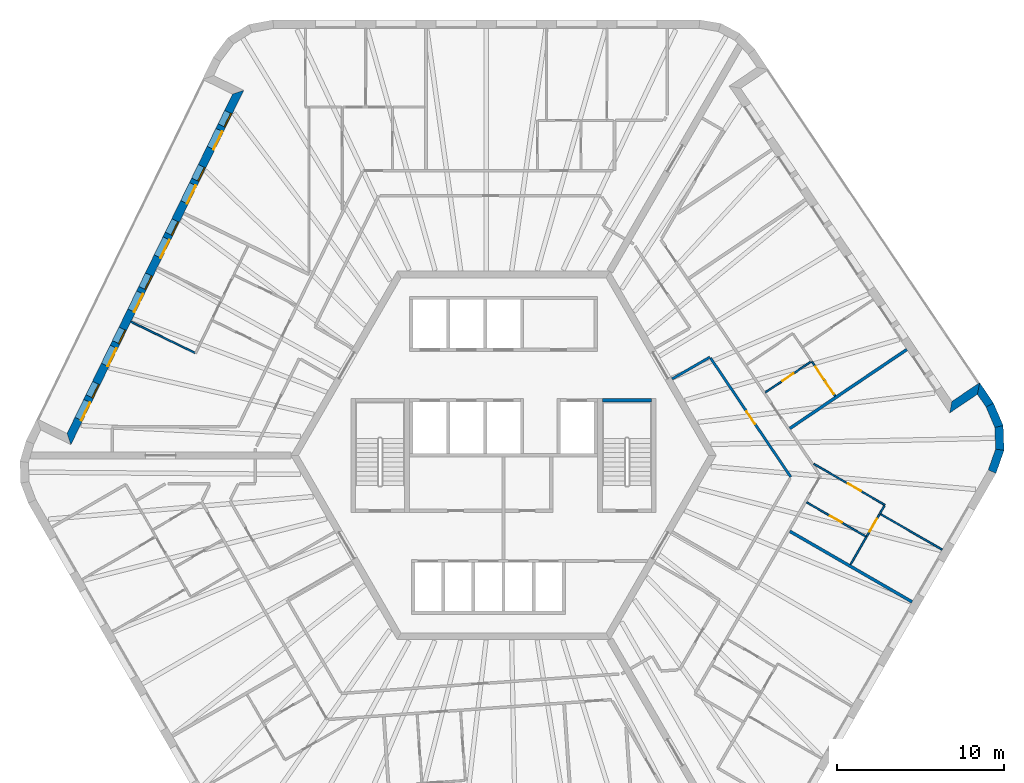
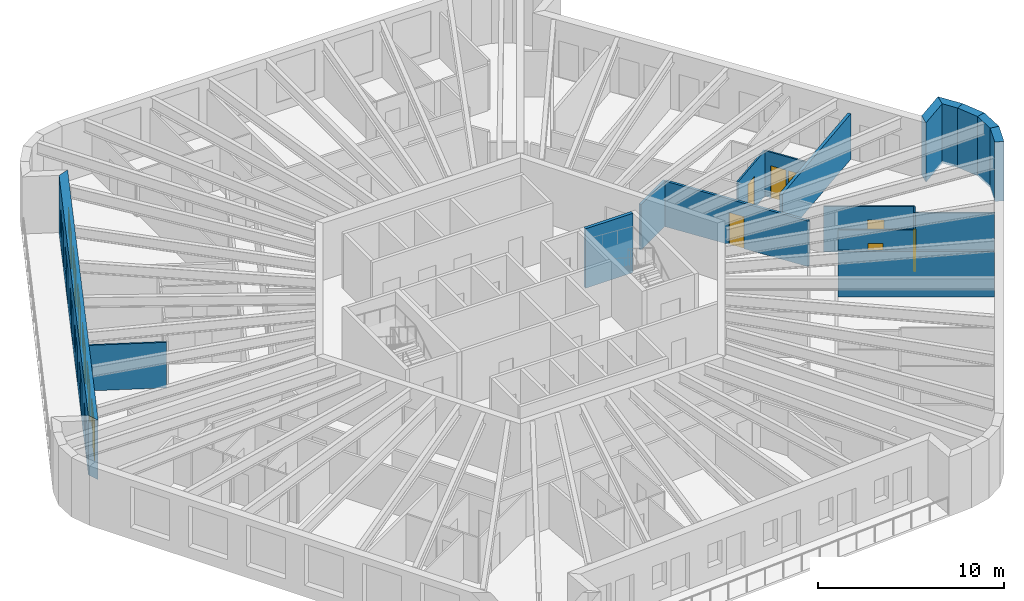
# One storey, part 7 of 12: 20 walls, 13 doors, 6 windows, 19 openings.
"""IFC4 building model written with IfcOpenShell, lengths in metres."""

import ifcopenshell
import ifcopenshell.guid

model = None  # the IFC model being written
_history = None  # IfcOwnerHistory: only IFC2X3 demands one
_inside = {}  # id of a spatial element -> (the spatial element, [elements in it])
_under = {}  # id of a project, library or spatial element -> (it, [spatial elements below it])
_declared = {}  # id of a project -> (the project, [libraries it declares])
_typed = {}  # id of a type object -> (the type object, [elements of that type])
_made_of = {}  # id of a material, layer set ... -> (it, [elements and type objects made of it])


def new_model(schema):
    """Start an empty IFC model of exactly this schema.

    Asked for "IFC4X3", IfcOpenShell would pick the latest addendum, in which some entities
    have other attributes; the version numbers below select the first issue.
    IFC2X3 requires an IfcOwnerHistory on every rooted entity: one is made here for all.
    """
    global model, _history
    if schema == "IFC4X3":
        model = ifcopenshell.file(schema_version=(4, 3, 0, 0))
    else:
        model = ifcopenshell.file(schema=schema)
    _inside.clear()
    _under.clear()
    _declared.clear()
    _typed.clear()
    _made_of.clear()
    _history = None
    if model.schema == "IFC2X3":
        org = make("IfcOrganization", Name="unknown")
        user = make(
            "IfcPersonAndOrganization",
            ThePerson=make("IfcPerson", FamilyName="unknown"),
            TheOrganization=org,
        )
        app = make(
            "IfcApplication",
            ApplicationDeveloper=org,
            Version="unknown",
            ApplicationFullName="unknown",
            ApplicationIdentifier="unknown",
        )
        _history = make(
            "IfcOwnerHistory",
            OwningUser=user,
            OwningApplication=app,
            ChangeAction="ADDED",
            CreationDate=0,
        )
    return model


def make(cls, **values):
    """One entity of the class cls with the attributes given. An attribute that is None is left unset."""
    return model.create_entity(
        cls, **{name: value for name, value in values.items() if value is not None}
    )


def rooted(cls, **values):
    """An entity with a GlobalId (a new one), such as an element, a storey or a relation."""
    return make(cls, GlobalId=ifcopenshell.guid.new(), OwnerHistory=_history, **values)


def si_unit(unit_type, name, prefix=None):
    """IfcSIUnit, for example si_unit("LENGTHUNIT", "METRE", prefix="MILLI")."""
    return make("IfcSIUnit", UnitType=unit_type, Prefix=prefix, Name=name)


def assignment(units):
    """IfcUnitAssignment: the units of a project."""
    return None if units is None else make("IfcUnitAssignment", Units=units)


def point(xyz):
    """IfcCartesianPoint."""
    return None if xyz is None else make("IfcCartesianPoint", Coordinates=xyz)


def direction(xyz):
    """IfcDirection."""
    return None if xyz is None else make("IfcDirection", DirectionRatios=xyz)


def frame(location, z_axis=None, x_axis=None):
    """IfcAxis2Placement3D, a coordinate frame: its origin and axes. An axis left out is left unset."""
    return make(
        "IfcAxis2Placement3D",
        Location=point(location),
        Axis=direction(z_axis),
        RefDirection=direction(x_axis),
    )


def frame_2d(location, x_axis=None):
    """IfcAxis2Placement2D, a coordinate frame in the plane: its origin and x axis."""
    return make(
        "IfcAxis2Placement2D", Location=point(location), RefDirection=direction(x_axis)
    )


def origin():
    """The frame at (0, 0, 0) with its axes left unset."""
    return frame((0.0, 0.0, 0.0))


def place(relative_to, where):
    """IfcLocalPlacement: puts the frame where relative to a parent placement (None: the world)."""
    return make(
        "IfcLocalPlacement", PlacementRelTo=relative_to, RelativePlacement=where
    )


def context(
    kind, dimensions, precision=None, world=None, true_north=None, identifier=None
):
    """IfcGeometricRepresentationContext, for example the 3D "Model" context."""
    return make(
        "IfcGeometricRepresentationContext",
        ContextIdentifier=identifier,
        ContextType=kind,
        CoordinateSpaceDimension=dimensions,
        Precision=precision,
        WorldCoordinateSystem=world,
        TrueNorth=true_north,
    )


def subcontext(parent, identifier, kind, view, scale=None):
    """IfcGeometricRepresentationSubContext, for example "Body" below "Model"."""
    return make(
        "IfcGeometricRepresentationSubContext",
        ContextIdentifier=identifier,
        ContextType=kind,
        ParentContext=parent,
        TargetScale=scale,
        TargetView=view,
    )


def project(units=None, contexts=None):
    """IfcProject with its units and contexts."""
    return rooted(
        "IfcProject",
        Name="project",
        RepresentationContexts=contexts,
        UnitsInContext=assignment(units),
    )


def spatial(cls, under=None, at=None, **own):
    """A site, building, storey or space (cls), placed at a placement, below another one or the project."""
    s = rooted(cls, ObjectPlacement=at, **own)
    if under is not None:
        _under.setdefault(under.id(), (under, []))[1].append(s)
    return s


def polyline(points):
    """IfcPolyline through the points."""
    return make("IfcPolyline", Points=[point(p) for p in points])


def profile(cls, at=None, kind="AREA", **sizes):
    """A parametric profile (cls). Its sizes go by their IFC names, for example OverallWidth=200.0."""
    return make(cls, ProfileType=kind, Position=at, **sizes)


def rectangle(**sizes):
    """IfcRectangleProfileDef."""
    return profile("IfcRectangleProfileDef", **sizes)


def outline(outer, holes=None, kind="AREA"):
    """IfcArbitraryClosedProfileDef: a profile drawn as a closed curve; with holes, ...WithVoids."""
    if holes is None:
        return make("IfcArbitraryClosedProfileDef", ProfileType=kind, OuterCurve=outer)
    return make(
        "IfcArbitraryProfileDefWithVoids",
        ProfileType=kind,
        OuterCurve=outer,
        InnerCurves=holes,
    )


def extrude(swept, where, along, depth):
    """IfcExtrudedAreaSolid: the profile swept, set in the frame where, extruded along a direction by depth."""
    return make(
        "IfcExtrudedAreaSolid",
        SweptArea=swept,
        Position=where,
        ExtrudedDirection=direction(along),
        Depth=depth,
    )


def shape(context_of_items, identifier, shape_type, items):
    """IfcShapeRepresentation: the items that make up one representation, for example the "Body"."""
    return make(
        "IfcShapeRepresentation",
        ContextOfItems=context_of_items,
        RepresentationIdentifier=identifier,
        RepresentationType=shape_type,
        Items=items,
    )


def material(Name=None, Category=None):
    """IfcMaterial."""
    return make("IfcMaterial", Name=Name, Category=Category)


def layer(
    of_material, thickness, ventilated=None, Name=None, Category=None, Priority=None
):
    """IfcMaterialLayer: one layer of a wall or slab, of a material (None: an air gap)."""
    return make(
        "IfcMaterialLayer",
        Material=of_material,
        LayerThickness=thickness,
        IsVentilated=ventilated,
        Name=Name,
        Category=Category,
        Priority=Priority,
    )


def layer_set(layers, Name=None):
    """IfcMaterialLayerSet."""
    return make("IfcMaterialLayerSet", MaterialLayers=layers, LayerSetName=Name)


def made_of(thing, what):
    """Note that an element or type object is made of a material, layer set ...; save() writes the relation."""
    if what is not None:
        _made_of.setdefault(what.id(), (what, []))[1].append(thing)
    return thing


def type_object(cls, material=None, **own):
    """A type object (cls), such as IfcWallType, which elements share."""
    return made_of(rooted(cls, **own), material)


def element(
    cls,
    number,
    at=None,
    inside=None,
    cuts=None,
    type_object=None,
    material=None,
    context=None,
    identifier="Body",
    shape_type=None,
    held_by="IfcProductDefinitionShape",
    body=None,
    shapes=None,
    **own,
):
    """One element of the class cls, such as IfcWall. Its Tag is "e" and its number.

    at: its placement. inside: the storey or other place that contains it. cuts: it is an
    opening in that element (IfcRelVoidsElement). A single representation is given by context,
    identifier, shape_type and body (its items); several are given by shapes. held_by: the class
    of the entity that holds the representations. save() writes the other relations.
    """
    e = rooted(cls, Tag="e%d" % number, ObjectPlacement=at, **own)
    if body is not None:
        shapes = [shape(context, identifier, shape_type, body)]
    if shapes is not None:
        e.Representation = make(held_by, Representations=shapes)
    if inside is not None:
        _inside.setdefault(inside.id(), (inside, []))[1].append(e)
    if cuts is not None:
        rooted(
            "IfcRelVoidsElement", RelatingBuildingElement=cuts, RelatedOpeningElement=e
        )
    if type_object is not None:
        _typed.setdefault(type_object.id(), (type_object, []))[1].append(e)
    return made_of(e, material)


def fill(opening, filler):
    """IfcRelFillsElement: the door or window that sits in an opening."""
    return rooted(
        "IfcRelFillsElement",
        RelatingOpeningElement=opening,
        RelatedBuildingElement=filler,
    )


def aggregate(whole, parts):
    """IfcRelAggregates: a whole, such as a stair, and the parts it consists of."""
    return rooted("IfcRelAggregates", RelatingObject=whole, RelatedObjects=parts)


def save(model, path):
    """Write the relations noted so far, then the file.

    IfcRelAggregates (storeys below a building ...), IfcRelContainedInSpatialStructure (elements
    in a storey), IfcRelDefinesByType, IfcRelAssociatesMaterial and IfcRelDeclares: one each for
    every whole, place, type object, material and project.
    """
    for whole, parts in _under.values():
        aggregate(whole, parts)
    for where, things in _inside.values():
        rooted(
            "IfcRelContainedInSpatialStructure",
            RelatedElements=things,
            RelatingStructure=where,
        )
    for kind, things in _typed.values():
        rooted("IfcRelDefinesByType", RelatedObjects=things, RelatingType=kind)
    for what, things in _made_of.values():
        rooted("IfcRelAssociatesMaterial", RelatedObjects=things, RelatingMaterial=what)
    for by, libraries in _declared.values():
        rooted("IfcRelDeclares", RelatingContext=by, RelatedDefinitions=libraries)
    model.write(path)


model = new_model("IFC4")

# Units and contexts
model_context = context("Model", 3, precision=1e-05, world=origin(), true_north=direction((0.0, 1.0)))
body_context = subcontext(model_context, "Body", "Model", "MODEL_VIEW")
ifc_project = project(units=[si_unit("LENGTHUNIT", "METRE"), si_unit("AREAUNIT", "SQUARE_METRE"), si_unit("VOLUMEUNIT", "CUBIC_METRE"), si_unit("PLANEANGLEUNIT", "RADIAN"), si_unit("MASSUNIT", "GRAM", prefix="KILO")], contexts=[model_context])

# Site, building, storey
site_placement = place(None, origin())
site = spatial("IfcSite", under=ifc_project, at=site_placement, CompositionType="ELEMENT")
building_placement = place(site_placement, origin())
building = spatial("IfcBuilding", under=site, at=building_placement, Name="Tarnside Tower", CompositionType="ELEMENT")
storey_placement = place(building_placement, frame((0.0, 0.0, 306.89990234375)))
storey = spatial("IfcBuildingStorey", under=building, at=storey_placement, Name="L74", CompositionType="ELEMENT", Elevation=306.89990234375)

# Wall, opening, door
ifc_material_1 = material(Name="Gypsum board partition on steel studs", Category="steel")
ifc_layer_1 = layer(ifc_material_1, 0.10009765625)
ifc_layer_set_1 = layer_set([ifc_layer_1], Name="Bathroom wall 100")
wall_type_1 = type_object("IfcWallType", Name="Bathroom wall 100", PredefinedType="PARTITIONING", material=ifc_layer_set_1)
wall_1_placement = place(storey_placement, frame((18.099853515625, -2.80029296875, 0.0), z_axis=(0.0, 0.0, 1.0), x_axis=(0.866019999656, -0.500009360108, 0.0)))
wall_1 = element("IfcWall", 1, at=wall_1_placement, inside=storey, type_object=wall_type_1, Name="Bathroom wall 24156", PredefinedType="PARTITIONING", context=body_context, shape_type="SweptSolid", body=[
    extrude(rectangle(XDim=4.125, YDim=0.10009765625, at=frame_2d((2.0625, 0.0))), origin(), (0.0, 0.0, 1.0), 2.98779296875),
])
opening_1_placement = place(wall_1_placement, frame((1.625, 0.0, 0.0)))
opening_1 = element("IfcOpeningElement", 2, at=opening_1_placement, cuts=wall_1, Name="Opening D-B1", PredefinedType="OPENING", context=body_context, shape_type="SweptSolid", body=[
    extrude(rectangle(XDim=0.800048828125, YDim=2.10009765625, at=frame_2d((0.39990234375, 1.050048828125))), frame((0.0, 0.06005859375, 0.0), z_axis=(0.0, -1.0, 0.0), x_axis=(1.0, 0.0, 0.0)), (0.0, 0.0, 1.0), 0.1201171875),
])
ifc_material_2 = material(Name="Timber door leaf", Category="wood")
door_type_1 = type_object("IfcDoorType", Name="Bathroom door 800", OperationType="NOTDEFINED", PredefinedType="DOOR", material=ifc_material_2)
door_1_placement = place(opening_1_placement, origin())
door_1 = element("IfcDoor", 3, at=door_1_placement, inside=storey, type_object=door_type_1, Name="Bathroom door 24051", OperationType="SINGLE_SWING_RIGHT", OverallHeight=2.10009765625, OverallWidth=0.800048828125, PredefinedType="DOOR", context=body_context, shape_type="SweptSolid", body=[
    extrude(rectangle(XDim=0.800048828125, YDim=2.10009765625, at=frame_2d((0.39990234375, 1.050048828125))), frame((0.0, 0.02490234375, 0.0), z_axis=(0.0, -1.0, 0.0), x_axis=(1.0, 0.0, 0.0)), (0.0, 0.0, 1.0), 0.050048828125),
])
fill(opening_1, door_1)

# Wall
wall_2_placement = place(storey_placement, frame((20.717041015625, -6.516845703125, 0.0), z_axis=(0.0, 0.0, 1.0), x_axis=(0.500039310002, 0.866002706955, 0.0)))
element("IfcWall", 4, at=wall_2_placement, inside=storey, type_object=wall_type_1, Name="Bathroom wall 24158", PredefinedType="PARTITIONING", context=body_context, shape_type="SweptSolid", body=[
    extrude(rectangle(XDim=1.911865234375, YDim=0.10009765625, at=frame_2d((0.9560546875, 0.0))), origin(), (0.0, 0.0, 1.0), 2.98779296875),
])

# Wall, opening, door
wall_3_placement = place(storey_placement, frame((18.399658203125, 5.6259765625, 0.0), z_axis=(0.0, 0.0, 1.0), x_axis=(-0.829067379225, -0.559148710725, 0.0)))
wall_3 = element("IfcWall", 5, at=wall_3_placement, inside=storey, type_object=wall_type_1, Name="Bathroom wall 24163", PredefinedType="PARTITIONING", context=body_context, shape_type="SweptSolid", body=[
    extrude(rectangle(XDim=3.324951171875, YDim=0.10009765625, at=frame_2d((1.66259765625, 0.0))), origin(), (0.0, 0.0, 1.0), 2.98779296875),
])
opening_2_placement = place(wall_3_placement, frame((1.300048828125, 0.0, 0.0)))
opening_2 = element("IfcOpeningElement", 6, at=opening_2_placement, cuts=wall_3, Name="Opening D-B1", PredefinedType="OPENING", context=body_context, shape_type="SweptSolid", body=[
    extrude(rectangle(XDim=0.800048828125, YDim=2.10009765625, at=frame_2d((0.39990234375, 1.050048828125))), frame((0.0, 0.06005859375, 0.0), z_axis=(0.0, -1.0, 0.0), x_axis=(1.0, 0.0, 0.0)), (0.0, 0.0, 1.0), 0.1201171875),
])
door_2_placement = place(opening_2_placement, origin())
door_2 = element("IfcDoor", 7, at=door_2_placement, inside=storey, type_object=door_type_1, Name="Bathroom door 24055", OperationType="SINGLE_SWING_LEFT", OverallHeight=2.10009765625, OverallWidth=0.800048828125, PredefinedType="DOOR", context=body_context, shape_type="SweptSolid", body=[
    extrude(rectangle(XDim=0.800048828125, YDim=2.10009765625, at=frame_2d((0.39990234375, 1.050048828125))), frame((0.0, 0.02490234375, 0.0), z_axis=(0.0, -1.0, 0.0), x_axis=(1.0, 0.0, 0.0)), (0.0, 0.0, 1.0), 0.050048828125),
])
fill(opening_2, door_2)

# Wall
ifc_layer_2 = layer(ifc_material_1, 0.14990234375)
ifc_layer_set_2 = layer_set([ifc_layer_2], Name="Corridor wall 150 EI 60")
wall_type_2 = type_object("IfcWallType", Name="Corridor wall 150 EI 60", PredefinedType="PARTITIONING", material=ifc_layer_set_2)
wall_4_placement = place(storey_placement, frame((10.065673828125, 4.565673828125, 0.0), z_axis=(0.0, 0.0, 1.0), x_axis=(0.866034402474, 0.499984413489, 0.0)))
element("IfcWall", 8, at=wall_4_placement, inside=storey, type_object=wall_type_2, Name="Corridor wall 24071", PredefinedType="PARTITIONING", context=body_context, shape_type="SweptSolid", body=[
    extrude(rectangle(XDim=2.6083984375, YDim=0.14990234375, at=frame_2d((1.30419921875, 0.0))), origin(), (0.0, 0.0, 1.0), 2.98779296875),
])

# Wall, opening, door
wall_5_placement = place(storey_placement, frame((12.36669921875, 5.8076171875, 0.0), z_axis=(0.0, 0.0, 1.0), x_axis=(0.559187256666, -0.829041381345, 0.0)))
wall_5 = element("IfcWall", 9, at=wall_5_placement, inside=storey, type_object=wall_type_2, Name="Corridor wall 24072", PredefinedType="PARTITIONING", context=body_context, shape_type="SweptSolid", body=[
    extrude(rectangle(XDim=8.560302734375, YDim=0.14990234375, at=frame_2d((4.2802734375, 0.0))), origin(), (0.0, 0.0, 1.0), 2.98779296875),
])
opening_3_placement = place(wall_5_placement, frame((3.830078125, 0.0, 0.0)))
opening_3 = element("IfcOpeningElement", 10, at=opening_3_placement, cuts=wall_5, Name="Opening D-S1", PredefinedType="OPENING", context=body_context, shape_type="SweptSolid", body=[
    extrude(rectangle(XDim=0.89990234375, YDim=2.10009765625, at=frame_2d((0.449951171875, 1.050048828125))), frame((0.0, 0.0849609375, 0.0), z_axis=(0.0, -1.0, 0.0), x_axis=(1.0, 0.0, 0.0)), (0.0, 0.0, 1.0), 0.169921875),
])
door_type_2 = type_object("IfcDoorType", Name="Service room door 900 FD30S", OperationType="NOTDEFINED", PredefinedType="DOOR", material=ifc_material_2)
door_3_placement = place(opening_3_placement, origin())
door_3 = element("IfcDoor", 11, at=door_3_placement, inside=storey, type_object=door_type_2, Name="Service door 24067", OperationType="SINGLE_SWING_RIGHT", OverallHeight=2.10009765625, OverallWidth=0.89990234375, PredefinedType="DOOR", context=body_context, shape_type="SweptSolid", body=[
    extrude(rectangle(XDim=0.89990234375, YDim=2.10009765625, at=frame_2d((0.449951171875, 1.050048828125))), frame((0.0, 0.02490234375, 0.0), z_axis=(0.0, -1.0, 0.0), x_axis=(1.0, 0.0, 0.0)), (0.0, 0.0, 1.0), 0.050048828125),
])
fill(opening_3, door_3)

# Walls
ifc_layer_3 = layer(ifc_material_1, 0.179931640625)
ifc_layer_set_3 = layer_set([ifc_layer_3], Name="Demising wall 180 EI 60")
wall_type_3 = type_object("IfcWallType", Name="Demising wall 180 EI 60", PredefinedType="PARTITIONING", material=ifc_layer_set_3)
for number, where, z_axis, x_axis, name in (
    (12, (24.39599609375, -8.744873046875, 0.0), (0.0, 0.0, 1.0), (-0.866014270972, 0.500019282102, 0.0), "Demising wall 24144"),
    (13, (24.08154296875, 6.322509765625, 0.0), (0.0, 0.0, 1.0), (-0.829037762759, -0.559192621481, 0.0), "Demising wall 24154"),
):
    element("IfcWall", number, at=place(storey_placement, frame(where, z_axis=z_axis, x_axis=x_axis)), inside=storey, type_object=wall_type_3, Name=name, PredefinedType="PARTITIONING", context=body_context, shape_type="SweptSolid", body=[
        extrude(rectangle(XDim=8.425048828125, YDim=0.179931640625, at=frame_2d((4.21240234375, 0.0))), origin(), (0.0, 0.0, 1.0), 2.98779296875),
    ])
ifc_material_3 = material(Name="Concrete C40/50", Category="concrete")
ifc_layer_4 = layer(ifc_material_3, 0.199951171875)
ifc_layer_set_4 = layer_set([ifc_layer_4], Name="Lift shaft wall 200 C40/50")
wall_type_4 = type_object("IfcWallType", Name="Lift shaft wall 200 C40/50", PredefinedType="SHEAR", material=ifc_layer_set_4)
wall_6_placement = place(storey_placement, frame((5.89990234375, 3.300048828125, -0.25), z_axis=(0.0, 0.0, 1.0), x_axis=(1.0, 0.0, 0.0)))
element("IfcWall", 14, at=wall_6_placement, inside=storey, type_object=wall_type_4, Name="L74 stair 1 enclosure cap wall n", PredefinedType="SHEAR", context=body_context, shape_type="SweptSolid", body=[
    extrude(rectangle(XDim=2.9501953125, YDim=0.199951171875, at=frame_2d((1.47509765625, 0.0))), origin(), (0.0, 0.0, 1.0), 3.900146484375),
])

# Wall, openings, doors, windows
ifc_material_4 = material(Name="Dark zinc cladding")
ifc_layer_5 = layer(ifc_material_4, 0.10205078125)
ifc_material_5 = material(Name="Concrete C60/75 precast", Category="concrete")
ifc_layer_6 = layer(ifc_material_5, 0.298095703125)
ifc_material_6 = material(Name="Mineral wool insulation")
ifc_layer_7 = layer(ifc_material_6, 0.10009765625)
ifc_layer_set_5 = layer_set([ifc_layer_5, ifc_layer_6, ifc_layer_7], Name="Loggia wall 500 zinc faced")
wall_type_5 = type_object("IfcWallType", Name="Loggia wall 500 zinc faced", PredefinedType="SOLIDWALL", material=ifc_layer_set_5)
wall_7_placement = place(storey_placement, frame((-15.845947265625, 21.6884765625, -0.14990234375), z_axis=(0.0, 0.0, 1.0), x_axis=(-0.438377502627, -0.898790946322, 0.0)))
wall_7 = element("IfcWall", 15, at=wall_7_placement, inside=storey, type_object=wall_type_5, Name="Tube wall L74 F2 back 06", PredefinedType="SOLIDWALL", context=body_context, shape_type="SweptSolid", body=[
    extrude(outline(polyline([(0.25, -0.25), (22.794677734375, -0.25), (23.294677734375, 0.25), (-0.25, 0.25), (0.25, -0.25)])), origin(), (0.0, 0.0, 1.0), 3.89990234375),
])
opening_4_placement = place(wall_7_placement, frame((1.322509765625, 0.0, 1.050048828125)))
opening_4 = element("IfcOpeningElement", 16, at=opening_4_placement, cuts=wall_7, Name="Opening WL500", PredefinedType="OPENING", context=body_context, shape_type="SweptSolid", body=[
    extrude(rectangle(XDim=0.89990234375, YDim=1.5, at=frame_2d((0.449951171875, 0.75))), frame((0.0, 0.260009765625, 0.0), z_axis=(0.0, -1.0, 0.0), x_axis=(1.0, 0.0, 0.0)), (0.0, 0.0, 1.0), 0.52001953125),
])
opening_5_placement = place(wall_7_placement, frame((2.5224609375, 0.0, 0.14990234375)))
opening_5 = element("IfcOpeningElement", 17, at=opening_5_placement, cuts=wall_7, Name="Opening DB500", PredefinedType="OPENING", context=body_context, shape_type="SweptSolid", body=[
    extrude(rectangle(XDim=1.199951171875, YDim=2.39990234375, at=frame_2d((0.60009765625, 1.199951171875))), frame((0.0, 0.260009765625, 0.0), z_axis=(0.0, -1.0, 0.0), x_axis=(1.0, 0.0, 0.0)), (0.0, 0.0, 1.0), 0.52001953125),
])
opening_6_placement = place(wall_7_placement, frame((4.92236328125, 0.0, 1.050048828125)))
opening_6 = element("IfcOpeningElement", 18, at=opening_6_placement, cuts=wall_7, Name="Opening WL500", PredefinedType="OPENING", context=body_context, shape_type="SweptSolid", body=[
    extrude(rectangle(XDim=0.89990234375, YDim=1.5, at=frame_2d((0.449951171875, 0.75))), frame((0.0, 0.260009765625, 0.0), z_axis=(0.0, -1.0, 0.0), x_axis=(1.0, 0.0, 0.0)), (0.0, 0.0, 1.0), 0.52001953125),
])
opening_7_placement = place(wall_7_placement, frame((6.122314453125, 0.0, 0.14990234375)))
opening_7 = element("IfcOpeningElement", 19, at=opening_7_placement, cuts=wall_7, Name="Opening DB500", PredefinedType="OPENING", context=body_context, shape_type="SweptSolid", body=[
    extrude(rectangle(XDim=1.199951171875, YDim=2.39990234375, at=frame_2d((0.60009765625, 1.199951171875))), frame((0.0, 0.260009765625, 0.0), z_axis=(0.0, -1.0, 0.0), x_axis=(1.0, 0.0, 0.0)), (0.0, 0.0, 1.0), 0.52001953125),
])
opening_8_placement = place(wall_7_placement, frame((8.5224609375, 0.0, 1.050048828125)))
opening_8 = element("IfcOpeningElement", 20, at=opening_8_placement, cuts=wall_7, Name="Opening WL500", PredefinedType="OPENING", context=body_context, shape_type="SweptSolid", body=[
    extrude(rectangle(XDim=0.89990234375, YDim=1.5, at=frame_2d((0.449951171875, 0.75))), frame((0.0, 0.260009765625, 0.0), z_axis=(0.0, -1.0, 0.0), x_axis=(1.0, 0.0, 0.0)), (0.0, 0.0, 1.0), 0.52001953125),
])
opening_9_placement = place(wall_7_placement, frame((9.722412109375, 0.0, 0.14990234375)))
opening_9 = element("IfcOpeningElement", 21, at=opening_9_placement, cuts=wall_7, Name="Opening DB500", PredefinedType="OPENING", context=body_context, shape_type="SweptSolid", body=[
    extrude(rectangle(XDim=1.199951171875, YDim=2.39990234375, at=frame_2d((0.60009765625, 1.199951171875))), frame((0.0, 0.260009765625, 0.0), z_axis=(0.0, -1.0, 0.0), x_axis=(1.0, 0.0, 0.0)), (0.0, 0.0, 1.0), 0.52001953125),
])
opening_10_placement = place(wall_7_placement, frame((12.122314453125, 0.0, 1.050048828125)))
opening_10 = element("IfcOpeningElement", 22, at=opening_10_placement, cuts=wall_7, Name="Opening WL500", PredefinedType="OPENING", context=body_context, shape_type="SweptSolid", body=[
    extrude(rectangle(XDim=0.89990234375, YDim=1.5, at=frame_2d((0.449951171875, 0.75))), frame((0.0, 0.260009765625, 0.0), z_axis=(0.0, -1.0, 0.0), x_axis=(1.0, 0.0, 0.0)), (0.0, 0.0, 1.0), 0.52001953125),
])
opening_11_placement = place(wall_7_placement, frame((13.322509765625, 0.0, 0.14990234375)))
opening_11 = element("IfcOpeningElement", 23, at=opening_11_placement, cuts=wall_7, Name="Opening DB500", PredefinedType="OPENING", context=body_context, shape_type="SweptSolid", body=[
    extrude(rectangle(XDim=1.199951171875, YDim=2.39990234375, at=frame_2d((0.60009765625, 1.199951171875))), frame((0.0, 0.260009765625, 0.0), z_axis=(0.0, -1.0, 0.0), x_axis=(1.0, 0.0, 0.0)), (0.0, 0.0, 1.0), 0.52001953125),
])
opening_12_placement = place(wall_7_placement, frame((15.722412109375, 0.0, 1.050048828125)))
opening_12 = element("IfcOpeningElement", 24, at=opening_12_placement, cuts=wall_7, Name="Opening WL500", PredefinedType="OPENING", context=body_context, shape_type="SweptSolid", body=[
    extrude(rectangle(XDim=0.89990234375, YDim=1.5, at=frame_2d((0.449951171875, 0.75))), frame((0.0, 0.260009765625, 0.0), z_axis=(0.0, -1.0, 0.0), x_axis=(1.0, 0.0, 0.0)), (0.0, 0.0, 1.0), 0.52001953125),
])
opening_13_placement = place(wall_7_placement, frame((16.92236328125, 0.0, 0.14990234375)))
opening_13 = element("IfcOpeningElement", 25, at=opening_13_placement, cuts=wall_7, Name="Opening DB500", PredefinedType="OPENING", context=body_context, shape_type="SweptSolid", body=[
    extrude(rectangle(XDim=1.199951171875, YDim=2.39990234375, at=frame_2d((0.60009765625, 1.199951171875))), frame((0.0, 0.260009765625, 0.0), z_axis=(0.0, -1.0, 0.0), x_axis=(1.0, 0.0, 0.0)), (0.0, 0.0, 1.0), 0.52001953125),
])
opening_14_placement = place(wall_7_placement, frame((19.322509765625, 0.0, 1.050048828125)))
opening_14 = element("IfcOpeningElement", 26, at=opening_14_placement, cuts=wall_7, Name="Opening WL500", PredefinedType="OPENING", context=body_context, shape_type="SweptSolid", body=[
    extrude(rectangle(XDim=0.89990234375, YDim=1.5, at=frame_2d((0.449951171875, 0.75))), frame((0.0, 0.260009765625, 0.0), z_axis=(0.0, -1.0, 0.0), x_axis=(1.0, 0.0, 0.0)), (0.0, 0.0, 1.0), 0.52001953125),
])
opening_15_placement = place(wall_7_placement, frame((20.5224609375, 0.0, 0.14990234375)))
opening_15 = element("IfcOpeningElement", 27, at=opening_15_placement, cuts=wall_7, Name="Opening DB500", PredefinedType="OPENING", context=body_context, shape_type="SweptSolid", body=[
    extrude(rectangle(XDim=1.199951171875, YDim=2.39990234375, at=frame_2d((0.60009765625, 1.199951171875))), frame((0.0, 0.260009765625, 0.0), z_axis=(0.0, -1.0, 0.0), x_axis=(1.0, 0.0, 0.0)), (0.0, 0.0, 1.0), 0.52001953125),
])
ifc_material_7 = material(Name="Aluminium-framed double glazing", Category="aluminium")
door_type_3 = type_object("IfcDoorType", Name="Balcony sliding door 1200 x 2400 in 500 wall", OperationType="SLIDING_TO_LEFT", PredefinedType="DOOR", material=ifc_material_7)
door_4_placement = place(opening_5_placement, frame((0.0, 0.1748046875, 0.0)))
door_4 = element("IfcDoor", 28, at=door_4_placement, inside=storey, type_object=door_type_3, Name="E.BD.L74.F2.00", OperationType="SLIDING_TO_LEFT", OverallHeight=2.39990234375, OverallWidth=1.199951171875, PredefinedType="DOOR", context=body_context, shape_type="SweptSolid", body=[
    extrude(rectangle(XDim=1.199951171875, YDim=2.39990234375, at=frame_2d((0.60009765625, 1.199951171875))), frame((0.0, 0.02490234375, 0.0), z_axis=(0.0, -1.0, 0.0), x_axis=(1.0, 0.0, 0.0)), (0.0, 0.0, 1.0), 0.050048828125),
])
fill(opening_5, door_4)
door_5_placement = place(opening_7_placement, frame((0.0, 0.1748046875, 0.0)))
door_5 = element("IfcDoor", 29, at=door_5_placement, inside=storey, type_object=door_type_3, Name="E.BD.L74.F2.01", OperationType="SLIDING_TO_LEFT", OverallHeight=2.39990234375, OverallWidth=1.199951171875, PredefinedType="DOOR", context=body_context, shape_type="SweptSolid", body=[
    extrude(rectangle(XDim=1.199951171875, YDim=2.39990234375, at=frame_2d((0.60009765625, 1.199951171875))), frame((0.0, 0.02490234375, 0.0), z_axis=(0.0, -1.0, 0.0), x_axis=(1.0, 0.0, 0.0)), (0.0, 0.0, 1.0), 0.050048828125),
])
fill(opening_7, door_5)
door_6_placement = place(opening_9_placement, frame((0.0, 0.1748046875, 0.0)))
door_6 = element("IfcDoor", 30, at=door_6_placement, inside=storey, type_object=door_type_3, Name="E.BD.L74.F2.02", OperationType="SLIDING_TO_LEFT", OverallHeight=2.39990234375, OverallWidth=1.199951171875, PredefinedType="DOOR", context=body_context, shape_type="SweptSolid", body=[
    extrude(rectangle(XDim=1.199951171875, YDim=2.39990234375, at=frame_2d((0.60009765625, 1.199951171875))), frame((0.0, 0.02490234375, 0.0), z_axis=(0.0, -1.0, 0.0), x_axis=(1.0, 0.0, 0.0)), (0.0, 0.0, 1.0), 0.050048828125),
])
fill(opening_9, door_6)
door_7_placement = place(opening_11_placement, frame((0.0, 0.1748046875, 0.0)))
door_7 = element("IfcDoor", 31, at=door_7_placement, inside=storey, type_object=door_type_3, Name="E.BD.L74.F2.03", OperationType="SLIDING_TO_LEFT", OverallHeight=2.39990234375, OverallWidth=1.199951171875, PredefinedType="DOOR", context=body_context, shape_type="SweptSolid", body=[
    extrude(rectangle(XDim=1.199951171875, YDim=2.39990234375, at=frame_2d((0.60009765625, 1.199951171875))), frame((0.0, 0.02490234375, 0.0), z_axis=(0.0, -1.0, 0.0), x_axis=(1.0, 0.0, 0.0)), (0.0, 0.0, 1.0), 0.050048828125),
])
fill(opening_11, door_7)
door_8_placement = place(opening_13_placement, frame((0.0, 0.1748046875, 0.0)))
door_8 = element("IfcDoor", 32, at=door_8_placement, inside=storey, type_object=door_type_3, Name="E.BD.L74.F2.04", OperationType="SLIDING_TO_LEFT", OverallHeight=2.39990234375, OverallWidth=1.199951171875, PredefinedType="DOOR", context=body_context, shape_type="SweptSolid", body=[
    extrude(rectangle(XDim=1.199951171875, YDim=2.39990234375, at=frame_2d((0.60009765625, 1.199951171875))), frame((0.0, 0.02490234375, 0.0), z_axis=(0.0, -1.0, 0.0), x_axis=(1.0, 0.0, 0.0)), (0.0, 0.0, 1.0), 0.050048828125),
])
fill(opening_13, door_8)
door_9_placement = place(opening_15_placement, frame((0.0, 0.1748046875, 0.0)))
door_9 = element("IfcDoor", 33, at=door_9_placement, inside=storey, type_object=door_type_3, Name="E.BD.L74.F2.05", OperationType="SLIDING_TO_LEFT", OverallHeight=2.39990234375, OverallWidth=1.199951171875, PredefinedType="DOOR", context=body_context, shape_type="SweptSolid", body=[
    extrude(rectangle(XDim=1.199951171875, YDim=2.39990234375, at=frame_2d((0.60009765625, 1.199951171875))), frame((0.0, 0.02490234375, 0.0), z_axis=(0.0, -1.0, 0.0), x_axis=(1.0, 0.0, 0.0)), (0.0, 0.0, 1.0), 0.050048828125),
])
fill(opening_15, door_9)
window_type = type_object("IfcWindowType", Name="Loggia window 900 x 1500 in 500 wall", PartitioningType="SINGLE_PANEL", PredefinedType="WINDOW", material=ifc_material_7)
window_1_placement = place(opening_4_placement, frame((0.0, 0.179931640625, 0.0)))
window_1 = element("IfcWindow", 34, at=window_1_placement, inside=storey, type_object=window_type, Name="E.LW.L74.F2.00", OverallHeight=1.5, OverallWidth=0.89990234375, PartitioningType="SINGLE_PANEL", PredefinedType="WINDOW", context=body_context, shape_type="SweptSolid", body=[
    extrude(rectangle(XDim=0.89990234375, YDim=1.5, at=frame_2d((0.449951171875, 0.75))), frame((0.0, 0.030029296875, 0.0), z_axis=(0.0, -1.0, 0.0), x_axis=(1.0, 0.0, 0.0)), (0.0, 0.0, 1.0), 0.06005859375),
])
fill(opening_4, window_1)
window_2_placement = place(opening_6_placement, frame((0.0, 0.179931640625, 0.0)))
window_2 = element("IfcWindow", 35, at=window_2_placement, inside=storey, type_object=window_type, Name="E.LW.L74.F2.01", OverallHeight=1.5, OverallWidth=0.89990234375, PartitioningType="SINGLE_PANEL", PredefinedType="WINDOW", context=body_context, shape_type="SweptSolid", body=[
    extrude(rectangle(XDim=0.89990234375, YDim=1.5, at=frame_2d((0.449951171875, 0.75))), frame((0.0, 0.030029296875, 0.0), z_axis=(0.0, -1.0, 0.0), x_axis=(1.0, 0.0, 0.0)), (0.0, 0.0, 1.0), 0.06005859375),
])
fill(opening_6, window_2)
window_3_placement = place(opening_8_placement, frame((0.0, 0.179931640625, 0.0)))
window_3 = element("IfcWindow", 36, at=window_3_placement, inside=storey, type_object=window_type, Name="E.LW.L74.F2.02", OverallHeight=1.5, OverallWidth=0.89990234375, PartitioningType="SINGLE_PANEL", PredefinedType="WINDOW", context=body_context, shape_type="SweptSolid", body=[
    extrude(rectangle(XDim=0.89990234375, YDim=1.5, at=frame_2d((0.449951171875, 0.75))), frame((0.0, 0.030029296875, 0.0), z_axis=(0.0, -1.0, 0.0), x_axis=(1.0, 0.0, 0.0)), (0.0, 0.0, 1.0), 0.06005859375),
])
fill(opening_8, window_3)
window_4_placement = place(opening_10_placement, frame((0.0, 0.179931640625, 0.0)))
window_4 = element("IfcWindow", 37, at=window_4_placement, inside=storey, type_object=window_type, Name="E.LW.L74.F2.03", OverallHeight=1.5, OverallWidth=0.89990234375, PartitioningType="SINGLE_PANEL", PredefinedType="WINDOW", context=body_context, shape_type="SweptSolid", body=[
    extrude(rectangle(XDim=0.89990234375, YDim=1.5, at=frame_2d((0.449951171875, 0.75))), frame((0.0, 0.030029296875, 0.0), z_axis=(0.0, -1.0, 0.0), x_axis=(1.0, 0.0, 0.0)), (0.0, 0.0, 1.0), 0.06005859375),
])
fill(opening_10, window_4)
window_5_placement = place(opening_12_placement, frame((0.0, 0.179931640625, 0.0)))
window_5 = element("IfcWindow", 38, at=window_5_placement, inside=storey, type_object=window_type, Name="E.LW.L74.F2.04", OverallHeight=1.5, OverallWidth=0.89990234375, PartitioningType="SINGLE_PANEL", PredefinedType="WINDOW", context=body_context, shape_type="SweptSolid", body=[
    extrude(rectangle(XDim=0.89990234375, YDim=1.5, at=frame_2d((0.449951171875, 0.75))), frame((0.0, 0.030029296875, 0.0), z_axis=(0.0, -1.0, 0.0), x_axis=(1.0, 0.0, 0.0)), (0.0, 0.0, 1.0), 0.06005859375),
])
fill(opening_12, window_5)
window_6_placement = place(opening_14_placement, frame((0.0, 0.179931640625, 0.0)))
window_6 = element("IfcWindow", 39, at=window_6_placement, inside=storey, type_object=window_type, Name="E.LW.L74.F2.05", OverallHeight=1.5, OverallWidth=0.89990234375, PartitioningType="SINGLE_PANEL", PredefinedType="WINDOW", context=body_context, shape_type="SweptSolid", body=[
    extrude(rectangle(XDim=0.89990234375, YDim=1.5, at=frame_2d((0.449951171875, 0.75))), frame((0.0, 0.030029296875, 0.0), z_axis=(0.0, -1.0, 0.0), x_axis=(1.0, 0.0, 0.0)), (0.0, 0.0, 1.0), 0.06005859375),
])
fill(opening_14, window_6)

# Walls
wall_8_placement = place(storey_placement, frame((29.034912109375, 3.00244140625, -0.14990234375), z_axis=(0.0, 0.0, 1.0), x_axis=(-0.559200218553, 0.829032638423, 0.0)))
element("IfcWall", 40, at=wall_8_placement, inside=storey, type_object=wall_type_5, Name="Tube wall L74 F6 stub 28", PredefinedType="SOLIDWALL", context=body_context, shape_type="SweptSolid", body=[
    extrude(outline(polyline([(-0.0234375, -0.25), (1.44970703125, -0.25), (0.94970703125, 0.25), (0.0234375, 0.25), (-0.0234375, -0.25)])), origin(), (0.0, 0.0, 1.0), 3.89990234375),
])
wall_9_placement = place(storey_placement, frame((28.364013671875, 3.9970703125, -0.14990234375), z_axis=(0.0, 0.0, 1.0), x_axis=(-0.829108975345, -0.5590870299, 0.0)))
element("IfcWall", 41, at=wall_9_placement, inside=storey, type_object=wall_type_5, Name="Tube wall L74 F6 return 29", PredefinedType="SOLIDWALL", context=body_context, shape_type="SweptSolid", body=[
    extrude(outline(polyline([(-0.25, -0.25), (1.75, -0.25), (2.25, 0.25), (0.25, 0.25), (-0.25, -0.25)])), origin(), (0.0, 0.0, 1.0), 3.89990234375),
])
ifc_layer_8 = layer(ifc_material_1, 0.10009765625)
ifc_layer_set_6 = layer_set([ifc_layer_8], Name="Partition 100")
wall_type_6 = type_object("IfcWallType", Name="Partition 100", PredefinedType="PARTITIONING", material=ifc_layer_set_6)
wall_10_placement = place(storey_placement, frame((-18.4306640625, 6.1240234375, 0.0), z_axis=(0.0, 0.0, 1.0), x_axis=(-0.898795496691, 0.438368173032, 0.0)))
element("IfcWall", 42, at=wall_10_placement, inside=storey, type_object=wall_type_6, Name="Partition wall 24107", PredefinedType="PARTITIONING", context=body_context, shape_type="SweptSolid", body=[
    extrude(rectangle(XDim=4.25, YDim=0.10009765625, at=frame_2d((2.125, 0.0))), origin(), (0.0, 0.0, 1.0), 2.98779296875),
])

# Wall, opening, door
wall_11_placement = place(storey_placement, frame((18.5244140625, -0.505126953125, 0.0), z_axis=(0.0, 0.0, 1.0), x_axis=(0.866032243237, -0.499988153533, 0.0)))
wall_11 = element("IfcWall", 43, at=wall_11_placement, inside=storey, type_object=wall_type_6, Name="Partition wall 24151", PredefinedType="PARTITIONING", context=body_context, shape_type="SweptSolid", body=[
    extrude(rectangle(XDim=4.90478515625, YDim=0.10009765625, at=frame_2d((2.452392578125, 0.0))), origin(), (0.0, 0.0, 1.0), 2.98779296875),
])
opening_16_placement = place(wall_11_placement, frame((2.354736328125, 0.0, 0.0)))
opening_16 = element("IfcOpeningElement", 44, at=opening_16_placement, cuts=wall_11, Name="Opening D-I1", PredefinedType="OPENING", context=body_context, shape_type="SweptSolid", body=[
    extrude(rectangle(XDim=0.89990234375, YDim=2.10009765625, at=frame_2d((0.449951171875, 1.050048828125))), frame((0.0, 0.06005859375, 0.0), z_axis=(0.0, -1.0, 0.0), x_axis=(1.0, 0.0, 0.0)), (0.0, 0.0, 1.0), 0.1201171875),
])
door_type_4 = type_object("IfcDoorType", Name="Internal door 900", OperationType="NOTDEFINED", PredefinedType="DOOR", material=ifc_material_2)
door_10_placement = place(opening_16_placement, origin())
door_10 = element("IfcDoor", 45, at=door_10_placement, inside=storey, type_object=door_type_4, Name="Internal door 24052", OperationType="SINGLE_SWING_LEFT", OverallHeight=2.10009765625, OverallWidth=0.89990234375, PredefinedType="DOOR", context=body_context, shape_type="SweptSolid", body=[
    extrude(rectangle(XDim=0.89990234375, YDim=2.10009765625, at=frame_2d((0.449951171875, 1.050048828125))), frame((0.0, 0.02490234375, 0.0), z_axis=(0.0, -1.0, 0.0), x_axis=(1.0, 0.0, 0.0)), (0.0, 0.0, 1.0), 0.050048828125),
])
fill(opening_16, door_10)

# Walls
wall_12_placement = place(storey_placement, frame((22.7470703125, -3.000732421875, 0.0), z_axis=(0.0, 0.0, 1.0), x_axis=(-0.499850094852, -0.866111934265, 0.0)))
element("IfcWall", 46, at=wall_12_placement, inside=storey, type_object=wall_type_6, Name="Partition wall 24152", PredefinedType="PARTITIONING", context=body_context, shape_type="SweptSolid", body=[
    extrude(rectangle(XDim=0.552001953125, YDim=0.10009765625, at=frame_2d((0.27587890625, 0.0))), origin(), (0.0, 0.0, 1.0), 2.98779296875),
])
wall_13_placement = place(storey_placement, frame((22.515380859375, -3.502197265625, 0.0), z_axis=(0.0, 0.0, 1.0), x_axis=(0.866028703517, -0.499994284652, 0.0)))
element("IfcWall", 47, at=wall_13_placement, inside=storey, type_object=wall_type_6, Name="Partition wall 24153", PredefinedType="PARTITIONING", context=body_context, shape_type="SweptSolid", body=[
    extrude(rectangle(XDim=4.25, YDim=0.10009765625, at=frame_2d((2.125, 0.0))), origin(), (0.0, 0.0, 1.0), 2.98779296875),
])

# Wall, opening, door
wall_14_placement = place(storey_placement, frame((21.696044921875, -4.8212890625, 0.0), z_axis=(0.0, 0.0, 1.0), x_axis=(0.499985098601, 0.86603400694, 0.0)))
wall_14 = element("IfcWall", 48, at=wall_14_placement, inside=storey, type_object=wall_type_6, Name="Partition wall 24157", PredefinedType="PARTITIONING", context=body_context, shape_type="SweptSolid", body=[
    extrude(rectangle(XDim=1.501953125, YDim=0.10009765625, at=frame_2d((0.7509765625, 0.0))), origin(), (0.0, 0.0, 1.0), 2.98779296875),
])
opening_17_placement = place(wall_14_placement, frame((0.302001953125, 0.0, 0.0)))
opening_17 = element("IfcOpeningElement", 49, at=opening_17_placement, cuts=wall_14, Name="Opening D-I1", PredefinedType="OPENING", context=body_context, shape_type="SweptSolid", body=[
    extrude(rectangle(XDim=0.89990234375, YDim=2.10009765625, at=frame_2d((0.449951171875, 1.050048828125))), frame((0.0, 0.06005859375, 0.0), z_axis=(0.0, -1.0, 0.0), x_axis=(1.0, 0.0, 0.0)), (0.0, 0.0, 1.0), 0.1201171875),
])
door_11_placement = place(opening_17_placement, origin())
door_11 = element("IfcDoor", 50, at=door_11_placement, inside=storey, type_object=door_type_4, Name="Internal door 24053", OperationType="SINGLE_SWING_LEFT", OverallHeight=2.10009765625, OverallWidth=0.89990234375, PredefinedType="DOOR", context=body_context, shape_type="SweptSolid", body=[
    extrude(rectangle(XDim=0.89990234375, YDim=2.10009765625, at=frame_2d((0.449951171875, 1.050048828125))), frame((0.0, 0.02490234375, 0.0), z_axis=(0.0, -1.0, 0.0), x_axis=(1.0, 0.0, 0.0)), (0.0, 0.0, 1.0), 0.050048828125),
])
fill(opening_17, door_11)

# Wall, openings, doors
wall_15_placement = place(storey_placement, frame((19.80322265625, 3.545166015625, 0.0), z_axis=(0.0, 0.0, 1.0), x_axis=(-0.559200318931, 0.829032570716, 0.0)))
wall_15 = element("IfcWall", 51, at=wall_15_placement, inside=storey, type_object=wall_type_6, Name="Partition wall 24164", PredefinedType="PARTITIONING", context=body_context, shape_type="SweptSolid", body=[
    extrude(rectangle(XDim=2.4619140625, YDim=0.10009765625, at=frame_2d((1.23095703125, 0.0))), origin(), (0.0, 0.0, 1.0), 2.98779296875),
])
opening_18_placement = place(wall_15_placement, frame((0.14990234375, 0.0, 0.0)))
opening_18 = element("IfcOpeningElement", 52, at=opening_18_placement, cuts=wall_15, Name="Opening D-I1", PredefinedType="OPENING", context=body_context, shape_type="SweptSolid", body=[
    extrude(rectangle(XDim=0.89990234375, YDim=2.10009765625, at=frame_2d((0.449951171875, 1.050048828125))), frame((0.0, 0.06005859375, 0.0), z_axis=(0.0, -1.0, 0.0), x_axis=(1.0, 0.0, 0.0)), (0.0, 0.0, 1.0), 0.1201171875),
])
opening_19_placement = place(wall_15_placement, frame((1.2099609375, 0.0, 0.0)))
opening_19 = element("IfcOpeningElement", 53, at=opening_19_placement, cuts=wall_15, Name="Opening D-I1", PredefinedType="OPENING", context=body_context, shape_type="SweptSolid", body=[
    extrude(rectangle(XDim=0.89990234375, YDim=2.10009765625, at=frame_2d((0.449951171875, 1.050048828125))), frame((0.0, 0.06005859375, 0.0), z_axis=(0.0, -1.0, 0.0), x_axis=(1.0, 0.0, 0.0)), (0.0, 0.0, 1.0), 0.1201171875),
])
door_12_placement = place(opening_18_placement, origin())
door_12 = element("IfcDoor", 54, at=door_12_placement, inside=storey, type_object=door_type_4, Name="Internal door 24057", OperationType="SINGLE_SWING_LEFT", OverallHeight=2.10009765625, OverallWidth=0.89990234375, PredefinedType="DOOR", context=body_context, shape_type="SweptSolid", body=[
    extrude(rectangle(XDim=0.89990234375, YDim=2.10009765625, at=frame_2d((0.449951171875, 1.050048828125))), frame((0.0, 0.02490234375, 0.0), z_axis=(0.0, -1.0, 0.0), x_axis=(1.0, 0.0, 0.0)), (0.0, 0.0, 1.0), 0.050048828125),
])
fill(opening_18, door_12)
door_13_placement = place(opening_19_placement, origin())
door_13 = element("IfcDoor", 55, at=door_13_placement, inside=storey, type_object=door_type_4, Name="Internal door 24058", OperationType="SINGLE_SWING_LEFT", OverallHeight=2.10009765625, OverallWidth=0.89990234375, PredefinedType="DOOR", context=body_context, shape_type="SweptSolid", body=[
    extrude(rectangle(XDim=0.89990234375, YDim=2.10009765625, at=frame_2d((0.449951171875, 1.050048828125))), frame((0.0, 0.02490234375, 0.0), z_axis=(0.0, -1.0, 0.0), x_axis=(1.0, 0.0, 0.0)), (0.0, 0.0, 1.0), 0.050048828125),
])
fill(opening_19, door_13)

# Walls
ifc_material_8 = material(Name="Facing brick", Category="masonry")
ifc_layer_9 = layer(ifc_material_8, 0.10205078125)
ifc_layer_10 = layer(ifc_material_5, 0.298095703125)
ifc_layer_11 = layer(ifc_material_6, 0.10009765625)
ifc_layer_set_7 = layer_set([ifc_layer_9, ifc_layer_10, ifc_layer_11], Name="Tube wall 500 brick faced")
wall_type_7 = type_object("IfcWallType", Name="Tube wall 500 brick faced", PredefinedType="SOLIDWALL", material=ifc_layer_set_7)
wall_16_placement = place(storey_placement, frame((29.173828125, -0.9697265625, -0.14990234375), z_axis=(0.0, 0.0, 1.0), x_axis=(0.330961348063, 0.943644311215, 0.0)))
element("IfcWall", 56, at=wall_16_placement, inside=storey, type_object=wall_type_7, Name="Tube wall L74 F5 chord 25", PredefinedType="SOLIDWALL", context=body_context, shape_type="SweptSolid", body=[
    extrude(outline(polyline([(-0.0234375, -0.25), (1.435302734375, -0.25), (1.341064453125, 0.25), (0.0234375, 0.25), (-0.0234375, -0.25)])), origin(), (0.0, 0.0, 1.0), 3.89990234375),
])
wall_17_placement = place(storey_placement, frame((29.63330078125, 0.34033203125, -0.14990234375), z_axis=(0.0, 0.0, 1.0), x_axis=(-0.034825746769, 0.999393399699, 0.0)))
element("IfcWall", 57, at=wall_17_placement, inside=storey, type_object=wall_type_7, Name="Tube wall L74 F5 chord 26", PredefinedType="SOLIDWALL", context=body_context, shape_type="SweptSolid", body=[
    extrude(outline(polyline([(-0.047119140625, -0.25), (1.43505859375, -0.25), (1.3408203125, 0.25), (0.047119140625, 0.25), (-0.047119140625, -0.25)])), origin(), (0.0, 0.0, 1.0), 3.89990234375),
])
wall_18_placement = place(storey_placement, frame((29.5849609375, 1.7275390625, -0.14990234375), z_axis=(0.0, 0.0, 1.0), x_axis=(-0.396146339195, 0.918187387162, 0.0)))
element("IfcWall", 58, at=wall_18_placement, inside=storey, type_object=wall_type_7, Name="Tube wall L74 F5 chord 27", PredefinedType="SOLIDWALL", context=body_context, shape_type="SweptSolid", body=[
    extrude(outline(polyline([(-0.047119140625, -0.25), (1.411865234375, -0.25), (1.364990234375, 0.25), (0.047119140625, 0.25), (-0.047119140625, -0.25)])), origin(), (0.0, 0.0, 1.0), 3.89990234375),
])

save(model, "model.ifc")
